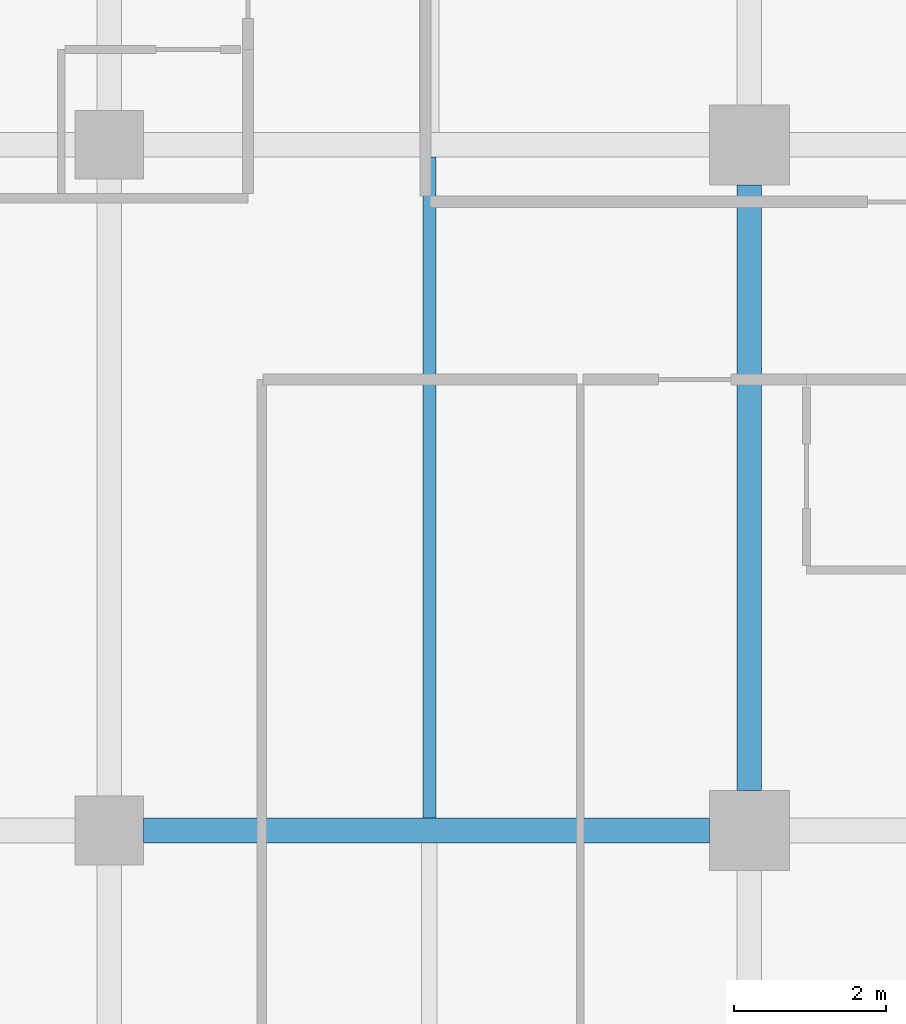
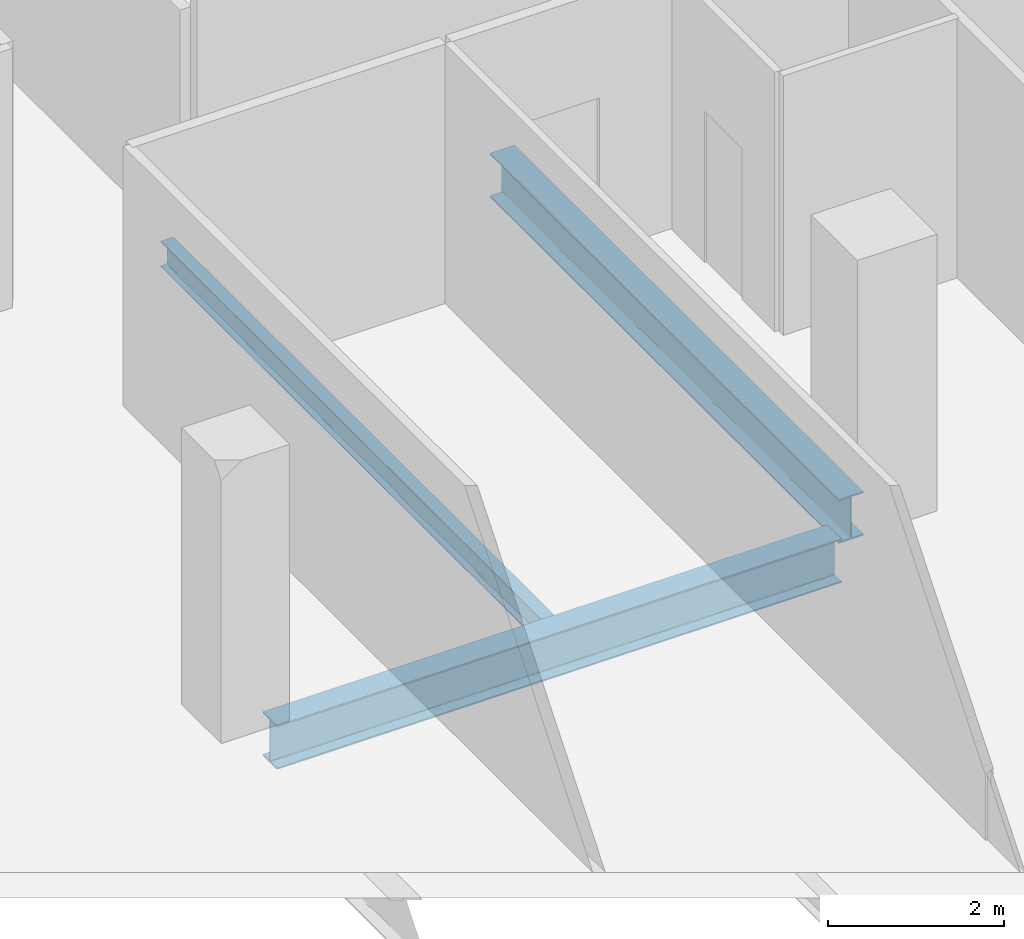
# One storey, part 6 of 40: 3 beams.
"""IFC4 building model written with IfcOpenShell, lengths in metres."""

from ifc_helpers import new_model, si_unit, direction, frame, origin, origin_2d, place, context, subcontext, project, spatial, i_section, extrude, material, material_profile, profile_set, type_object, element, save


model = new_model("IFC4")

# Units and contexts
model_context = context("Model", 3, precision=1e-05, world=origin(), true_north=direction((0.0, 1.0)))
body_context = subcontext(model_context, "Body", "Model", "MODEL_VIEW")
ifc_project = project(units=[si_unit("LENGTHUNIT", "METRE"), si_unit("AREAUNIT", "SQUARE_METRE"), si_unit("VOLUMEUNIT", "CUBIC_METRE"), si_unit("PLANEANGLEUNIT", "RADIAN"), si_unit("MASSUNIT", "GRAM", prefix="KILO")], contexts=[model_context])

# Site, building, storey
site_placement = place(None, origin())
site = spatial("IfcSite", under=ifc_project, at=site_placement, CompositionType="ELEMENT")
building_placement = place(site_placement, origin())
building = spatial("IfcBuilding", under=site, at=building_placement, Name="Maruvema Waterfront Hotel and Observation Tower", CompositionType="ELEMENT")
storey_placement = place(building_placement, frame((0.0, 0.0, 107.800048828125)))
storey = spatial("IfcBuildingStorey", under=building, at=storey_placement, Name="L26", CompositionType="ELEMENT", Elevation=107.800048828125)

# Beams
ifc_material_1 = material(Name="Steel ASTM A572 Grade 50", Category="steel")
ifc_material_profile_1 = material_profile(ifc_material_1, i_section(OverallWidth=0.323974609375, OverallDepth=0.611083984375, WebThickness=0.0126953125, FlangeThickness=0.01904296875, FilletRadius=0.01806640625, at=origin_2d()), Name="W610x155.0")
ifc_profile_set_1 = profile_set([ifc_material_profile_1], Name="Steel ASTM A572 Grade 50")
beam_type_1 = type_object("IfcBeamType", Name="Primary Floor Girder W610x155.0", PredefinedType="BEAM", material=ifc_profile_set_1)
beam_1_placement = place(storey_placement, frame((17.25, 9.0, -0.545654296875), z_axis=(1.0, 0.0, 0.0), x_axis=(0.0, 1.0, 0.0)))
element("IfcBeam", 1, at=beam_1_placement, inside=storey, type_object=beam_type_1, Name="L26 Floor Girder EW-07", PredefinedType="BEAM", context=body_context, shape_type="SweptSolid", body=[
    extrude(i_section(OverallWidth=0.323974609375, OverallDepth=0.611083984375, WebThickness=0.0126953125, FlangeThickness=0.01904296875, FilletRadius=0.01806640625, at=origin_2d()), origin(), (0.0, 0.0, 1.0), 7.425048828125),
])
beam_2_placement = place(storey_placement, frame((25.199951171875, 9.52490234375, -0.545654296875), z_axis=(0.0, 1.0, 0.0), x_axis=(-1.0, 0.0, 0.0)))
element("IfcBeam", 2, at=beam_2_placement, inside=storey, type_object=beam_type_1, Name="L26 Floor Girder NS-12", PredefinedType="BEAM", context=body_context, shape_type="SweptSolid", body=[
    extrude(i_section(OverallWidth=0.323974609375, OverallDepth=0.611083984375, WebThickness=0.0126953125, FlangeThickness=0.01904296875, FilletRadius=0.01806640625, at=origin_2d()), origin(), (0.0, 0.0, 1.0), 7.9501953125),
])
ifc_material_2 = material(Name="Steel ASTM A572 Grade 50", Category="steel")
ifc_material_profile_2 = material_profile(ifc_material_2, i_section(OverallWidth=0.1708984375, OverallDepth=0.35498046875, WebThickness=0.007080078125, FlangeThickness=0.01171875, FilletRadius=0.014892578125, at=origin_2d()), Name="W360x51.0")
ifc_profile_set_2 = profile_set([ifc_material_profile_2], Name="Steel ASTM A572 Grade 50")
beam_type_2 = type_object("IfcBeamType", Name="Secondary Floor Joist W360x51.0", PredefinedType="JOIST", material=ifc_profile_set_2)
beam_3_placement = place(storey_placement, frame((21.0, 9.162109375, -0.41748046875), z_axis=(0.0, 1.0, 0.0), x_axis=(-1.0, 0.0, 0.0)))
element("IfcBeam", 3, at=beam_3_placement, inside=storey, type_object=beam_type_2, Name="L26 Secondary Floor Joist JS-06", PredefinedType="JOIST", context=body_context, shape_type="SweptSolid", body=[
    extrude(i_section(OverallWidth=0.1708984375, OverallDepth=0.35498046875, WebThickness=0.007080078125, FlangeThickness=0.01171875, FilletRadius=0.014892578125, at=origin_2d()), origin(), (0.0, 0.0, 1.0), 8.67578125),
])

save(model, "model.ifc")
